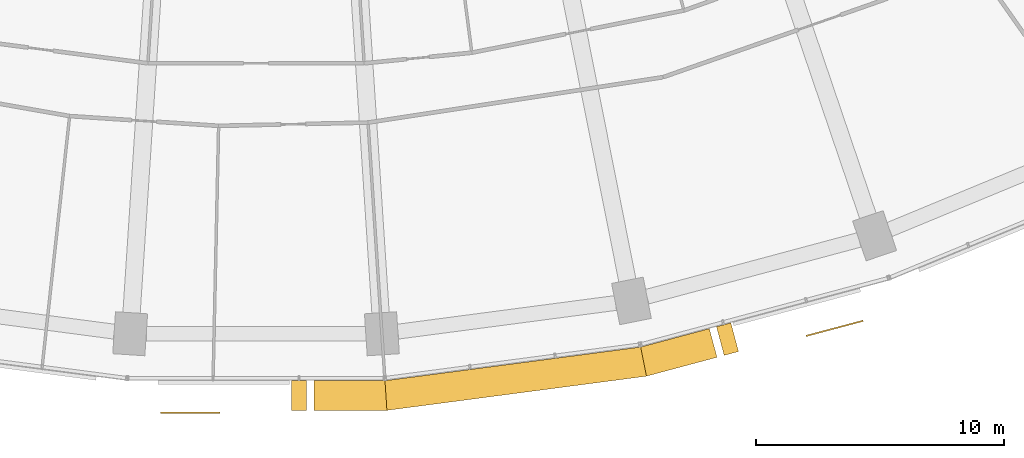
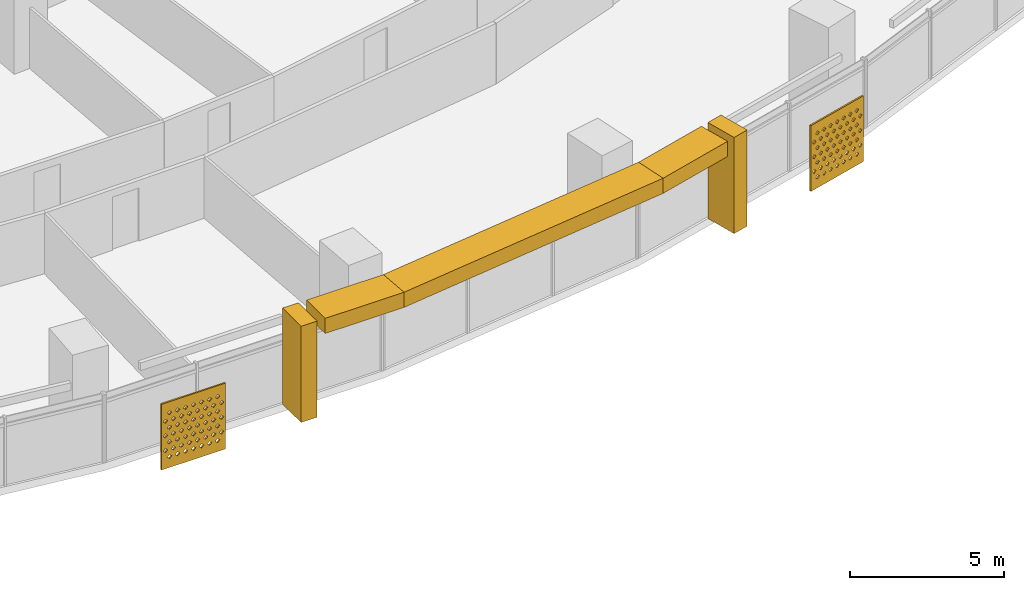
# One storey, part 28 of 31: 7 shading devices.
"""IFC4 building model written with IfcOpenShell, lengths in metres."""

from ifc_helpers import new_model, si_unit, direction, frame, origin, place, context, subcontext, project, spatial, polyline, outline, extrude, material, material_profile, profile_set, type_object, element, save


model = new_model("IFC4")

# Units and contexts
model_context = context("Model", 3, precision=1e-05, world=origin(), true_north=direction((0.0, 1.0)))
body_context = subcontext(model_context, "Body", "Model", "MODEL_VIEW")
ifc_project = project(units=[si_unit("LENGTHUNIT", "METRE"), si_unit("AREAUNIT", "SQUARE_METRE"), si_unit("VOLUMEUNIT", "CUBIC_METRE"), si_unit("PLANEANGLEUNIT", "RADIAN"), si_unit("MASSUNIT", "GRAM", prefix="KILO")], contexts=[model_context])

# Site, building, storey
site_placement = place(None, origin())
site = spatial("IfcSite", under=ifc_project, at=site_placement, CompositionType="ELEMENT")
building_placement = place(site_placement, origin())
building = spatial("IfcBuilding", under=site, at=building_placement, Name="Qamariyya Broadcast Tower", CompositionType="ELEMENT")
storey_placement = place(building_placement, frame((0.0, 0.0, 51.89990234375)))
storey = spatial("IfcBuildingStorey", under=building, at=storey_placement, Name="L09", CompositionType="ELEMENT", Elevation=51.89990234375)

# Shading devices
ifc_material_1 = material(Name="Steel S355 powder coated deep red", Category="steel")
shading_device_type_1 = type_object("IfcShadingDeviceType", Name="Deep red frame, powder coated steel box section", PredefinedType="USERDEFINED", material=ifc_material_1)
shading_device_1_placement = place(storey_placement, origin())
element("IfcShadingDevice", 1, at=shading_device_1_placement, inside=storey, type_object=shading_device_type_1, Name="e-frm-B1-F4-posta-L09", ObjectType="FRAME", PredefinedType="USERDEFINED", context=body_context, shape_type="SweptSolid", body=[
    extrude(outline(polyline([(1.4365234375, -79.4794921875), (1.4365234375, -80.679443359375), (2.036376953125, -80.679443359375), (2.036376953125, -79.4794921875), (1.4365234375, -79.4794921875)])), origin(), (0.0, 0.0, 1.0), 3.800048828125),
])
shading_device_2_placement = place(storey_placement, origin())
element("IfcShadingDevice", 2, at=shading_device_2_placement, inside=storey, type_object=shading_device_type_1, Name="e-frm-B1-F4-postb-L09", ObjectType="FRAME", PredefinedType="USERDEFINED", context=body_context, shape_type="SweptSolid", body=[
    extrude(outline(polyline([(18.603759765625, -77.29833984375), (18.914306640625, -78.45751953125), (19.493896484375, -78.30224609375), (19.183349609375, -77.14306640625), (18.603759765625, -77.29833984375)])), origin(), (0.0, 0.0, 1.0), 3.800048828125),
])
shading_device_3_placement = place(storey_placement, frame((0.0, 0.0, 3.2001953125)))
element("IfcShadingDevice", 3, at=shading_device_3_placement, inside=storey, type_object=shading_device_type_1, Name="e-frm-B1-F4-top0", ObjectType="FRAME", PredefinedType="USERDEFINED", context=body_context, shape_type="SweptSolid", body=[
    extrude(outline(polyline([(2.33642578125, -79.4794921875), (2.33642578125, -80.679443359375), (5.2880859375, -80.679443359375), (5.20947265625, -79.4794921875), (2.33642578125, -79.4794921875)])), origin(), (0.0, 0.0, 1.0), 0.599853515625),
])
shading_device_4_placement = place(storey_placement, frame((0.0, 0.0, 3.2001953125)))
element("IfcShadingDevice", 4, at=shading_device_4_placement, inside=storey, type_object=shading_device_type_1, Name="e-frm-B1-F4-top1", ObjectType="FRAME", PredefinedType="USERDEFINED", context=body_context, shape_type="SweptSolid", body=[
    extrude(outline(polyline([(5.20947265625, -79.4794921875), (5.2880859375, -80.679443359375), (15.7734375, -79.299072265625), (15.5390625, -78.11962890625), (5.20947265625, -79.4794921875)])), origin(), (0.0, 0.0, 1.0), 0.599853515625),
])
shading_device_5_placement = place(storey_placement, frame((0.0, 0.0, 3.2001953125)))
element("IfcShadingDevice", 5, at=shading_device_5_placement, inside=storey, type_object=shading_device_type_1, Name="e-frm-B1-F4-top2", ObjectType="FRAME", PredefinedType="USERDEFINED", context=body_context, shape_type="SweptSolid", body=[
    extrude(outline(polyline([(15.5390625, -78.11962890625), (15.7734375, -79.299072265625), (18.62451171875, -78.53515625), (18.31396484375, -77.3759765625), (15.5390625, -78.11962890625)])), origin(), (0.0, 0.0, 1.0), 0.599853515625),
])
ifc_material_2 = material(Name="Perforated glazed terracotta", Category="masonry")
ifc_material_profile = material_profile(ifc_material_2, outline(polyline([(-1.199951171875, -1.300048828125), (1.199951171875, -1.300048828125), (1.199951171875, 1.300048828125), (-1.199951171875, 1.300048828125), (-1.199951171875, -1.300048828125)]), holes=[polyline([(-0.81494140625, -0.86669921875), (-0.89990234375, -0.78173828125), (-0.985107421875, -0.86669921875), (-0.89990234375, -0.95166015625), (-0.81494140625, -0.86669921875)]), polyline([(-0.514892578125, -0.86669921875), (-0.60009765625, -0.78173828125), (-0.68505859375, -0.86669921875), (-0.60009765625, -0.95166015625), (-0.514892578125, -0.86669921875)]), polyline([(-0.215087890625, -0.86669921875), (-0.300048828125, -0.78173828125), (-0.385009765625, -0.86669921875), (-0.300048828125, -0.95166015625), (-0.215087890625, -0.86669921875)]), polyline([(0.0849609375, -0.86669921875), (0.0, -0.78173828125), (-0.0849609375, -0.86669921875), (0.0, -0.95166015625), (0.0849609375, -0.86669921875)]), polyline([(0.385009765625, -0.86669921875), (0.300048828125, -0.78173828125), (0.215087890625, -0.86669921875), (0.300048828125, -0.95166015625), (0.385009765625, -0.86669921875)]), polyline([(0.68505859375, -0.86669921875), (0.60009765625, -0.78173828125), (0.514892578125, -0.86669921875), (0.60009765625, -0.95166015625), (0.68505859375, -0.86669921875)]), polyline([(0.985107421875, -0.86669921875), (0.89990234375, -0.78173828125), (0.81494140625, -0.86669921875), (0.89990234375, -0.95166015625), (0.985107421875, -0.86669921875)]), polyline([(-0.965087890625, -0.577880859375), (-1.050048828125, -0.49267578125), (-1.135009765625, -0.577880859375), (-1.050048828125, -0.662841796875), (-0.965087890625, -0.577880859375)]), polyline([(-0.6650390625, -0.577880859375), (-0.75, -0.49267578125), (-0.8349609375, -0.577880859375), (-0.75, -0.662841796875), (-0.6650390625, -0.577880859375)]), polyline([(-0.364990234375, -0.577880859375), (-0.449951171875, -0.49267578125), (-0.534912109375, -0.577880859375), (-0.449951171875, -0.662841796875), (-0.364990234375, -0.577880859375)]), polyline([(-0.06494140625, -0.577880859375), (-0.14990234375, -0.49267578125), (-0.235107421875, -0.577880859375), (-0.14990234375, -0.662841796875), (-0.06494140625, -0.577880859375)]), polyline([(0.235107421875, -0.577880859375), (0.14990234375, -0.49267578125), (0.06494140625, -0.577880859375), (0.14990234375, -0.662841796875), (0.235107421875, -0.577880859375)]), polyline([(0.534912109375, -0.577880859375), (0.449951171875, -0.49267578125), (0.364990234375, -0.577880859375), (0.449951171875, -0.662841796875), (0.534912109375, -0.577880859375)]), polyline([(0.8349609375, -0.577880859375), (0.75, -0.49267578125), (0.6650390625, -0.577880859375), (0.75, -0.662841796875), (0.8349609375, -0.577880859375)]), polyline([(1.135009765625, -0.577880859375), (1.050048828125, -0.49267578125), (0.965087890625, -0.577880859375), (1.050048828125, -0.662841796875), (1.135009765625, -0.577880859375)]), polyline([(-0.81494140625, -0.288818359375), (-0.89990234375, -0.203857421875), (-0.985107421875, -0.288818359375), (-0.89990234375, -0.373779296875), (-0.81494140625, -0.288818359375)]), polyline([(-0.514892578125, -0.288818359375), (-0.60009765625, -0.203857421875), (-0.68505859375, -0.288818359375), (-0.60009765625, -0.373779296875), (-0.514892578125, -0.288818359375)]), polyline([(-0.215087890625, -0.288818359375), (-0.300048828125, -0.203857421875), (-0.385009765625, -0.288818359375), (-0.300048828125, -0.373779296875), (-0.215087890625, -0.288818359375)]), polyline([(0.0849609375, -0.288818359375), (0.0, -0.203857421875), (-0.0849609375, -0.288818359375), (0.0, -0.373779296875), (0.0849609375, -0.288818359375)]), polyline([(0.385009765625, -0.288818359375), (0.300048828125, -0.203857421875), (0.215087890625, -0.288818359375), (0.300048828125, -0.373779296875), (0.385009765625, -0.288818359375)]), polyline([(0.68505859375, -0.288818359375), (0.60009765625, -0.203857421875), (0.514892578125, -0.288818359375), (0.60009765625, -0.373779296875), (0.68505859375, -0.288818359375)]), polyline([(0.985107421875, -0.288818359375), (0.89990234375, -0.203857421875), (0.81494140625, -0.288818359375), (0.89990234375, -0.373779296875), (0.985107421875, -0.288818359375)]), polyline([(-0.965087890625, 0.0), (-1.050048828125, 0.0849609375), (-1.135009765625, 0.0), (-1.050048828125, -0.0849609375), (-0.965087890625, 0.0)]), polyline([(-0.6650390625, 0.0), (-0.75, 0.0849609375), (-0.8349609375, 0.0), (-0.75, -0.0849609375), (-0.6650390625, 0.0)]), polyline([(-0.364990234375, 0.0), (-0.449951171875, 0.0849609375), (-0.534912109375, 0.0), (-0.449951171875, -0.0849609375), (-0.364990234375, 0.0)]), polyline([(-0.06494140625, 0.0), (-0.14990234375, 0.0849609375), (-0.235107421875, 0.0), (-0.14990234375, -0.0849609375), (-0.06494140625, 0.0)]), polyline([(0.235107421875, 0.0), (0.14990234375, 0.0849609375), (0.06494140625, 0.0), (0.14990234375, -0.0849609375), (0.235107421875, 0.0)]), polyline([(0.534912109375, 0.0), (0.449951171875, 0.0849609375), (0.364990234375, 0.0), (0.449951171875, -0.0849609375), (0.534912109375, 0.0)]), polyline([(0.8349609375, 0.0), (0.75, 0.0849609375), (0.6650390625, 0.0), (0.75, -0.0849609375), (0.8349609375, 0.0)]), polyline([(1.135009765625, 0.0), (1.050048828125, 0.0849609375), (0.965087890625, 0.0), (1.050048828125, -0.0849609375), (1.135009765625, 0.0)]), polyline([(-0.81494140625, 0.288818359375), (-0.89990234375, 0.373779296875), (-0.985107421875, 0.288818359375), (-0.89990234375, 0.203857421875), (-0.81494140625, 0.288818359375)]), polyline([(-0.514892578125, 0.288818359375), (-0.60009765625, 0.373779296875), (-0.68505859375, 0.288818359375), (-0.60009765625, 0.203857421875), (-0.514892578125, 0.288818359375)]), polyline([(-0.215087890625, 0.288818359375), (-0.300048828125, 0.373779296875), (-0.385009765625, 0.288818359375), (-0.300048828125, 0.203857421875), (-0.215087890625, 0.288818359375)]), polyline([(0.0849609375, 0.288818359375), (0.0, 0.373779296875), (-0.0849609375, 0.288818359375), (0.0, 0.203857421875), (0.0849609375, 0.288818359375)]), polyline([(0.385009765625, 0.288818359375), (0.300048828125, 0.373779296875), (0.215087890625, 0.288818359375), (0.300048828125, 0.203857421875), (0.385009765625, 0.288818359375)]), polyline([(0.68505859375, 0.288818359375), (0.60009765625, 0.373779296875), (0.514892578125, 0.288818359375), (0.60009765625, 0.203857421875), (0.68505859375, 0.288818359375)]), polyline([(0.985107421875, 0.288818359375), (0.89990234375, 0.373779296875), (0.81494140625, 0.288818359375), (0.89990234375, 0.203857421875), (0.985107421875, 0.288818359375)]), polyline([(-0.965087890625, 0.577880859375), (-1.050048828125, 0.662841796875), (-1.135009765625, 0.577880859375), (-1.050048828125, 0.49267578125), (-0.965087890625, 0.577880859375)]), polyline([(-0.6650390625, 0.577880859375), (-0.75, 0.662841796875), (-0.8349609375, 0.577880859375), (-0.75, 0.49267578125), (-0.6650390625, 0.577880859375)]), polyline([(-0.364990234375, 0.577880859375), (-0.449951171875, 0.662841796875), (-0.534912109375, 0.577880859375), (-0.449951171875, 0.49267578125), (-0.364990234375, 0.577880859375)]), polyline([(-0.06494140625, 0.577880859375), (-0.14990234375, 0.662841796875), (-0.235107421875, 0.577880859375), (-0.14990234375, 0.49267578125), (-0.06494140625, 0.577880859375)]), polyline([(0.235107421875, 0.577880859375), (0.14990234375, 0.662841796875), (0.06494140625, 0.577880859375), (0.14990234375, 0.49267578125), (0.235107421875, 0.577880859375)]), polyline([(0.534912109375, 0.577880859375), (0.449951171875, 0.662841796875), (0.364990234375, 0.577880859375), (0.449951171875, 0.49267578125), (0.534912109375, 0.577880859375)]), polyline([(0.8349609375, 0.577880859375), (0.75, 0.662841796875), (0.6650390625, 0.577880859375), (0.75, 0.49267578125), (0.8349609375, 0.577880859375)]), polyline([(1.135009765625, 0.577880859375), (1.050048828125, 0.662841796875), (0.965087890625, 0.577880859375), (1.050048828125, 0.49267578125), (1.135009765625, 0.577880859375)]), polyline([(-0.81494140625, 0.86669921875), (-0.89990234375, 0.95166015625), (-0.985107421875, 0.86669921875), (-0.89990234375, 0.78173828125), (-0.81494140625, 0.86669921875)]), polyline([(-0.514892578125, 0.86669921875), (-0.60009765625, 0.95166015625), (-0.68505859375, 0.86669921875), (-0.60009765625, 0.78173828125), (-0.514892578125, 0.86669921875)]), polyline([(-0.215087890625, 0.86669921875), (-0.300048828125, 0.95166015625), (-0.385009765625, 0.86669921875), (-0.300048828125, 0.78173828125), (-0.215087890625, 0.86669921875)]), polyline([(0.0849609375, 0.86669921875), (0.0, 0.95166015625), (-0.0849609375, 0.86669921875), (0.0, 0.78173828125), (0.0849609375, 0.86669921875)]), polyline([(0.385009765625, 0.86669921875), (0.300048828125, 0.95166015625), (0.215087890625, 0.86669921875), (0.300048828125, 0.78173828125), (0.385009765625, 0.86669921875)]), polyline([(0.68505859375, 0.86669921875), (0.60009765625, 0.95166015625), (0.514892578125, 0.86669921875), (0.60009765625, 0.78173828125), (0.68505859375, 0.86669921875)]), polyline([(0.985107421875, 0.86669921875), (0.89990234375, 0.95166015625), (0.81494140625, 0.86669921875), (0.89990234375, 0.78173828125), (0.985107421875, 0.86669921875)])]))
ifc_profile_set = profile_set([ifc_material_profile], Name="Perforated glazed terracotta")
shading_device_type_2 = type_object("IfcShadingDeviceType", Name="Perforated terracotta screen 2400 x 2600", PredefinedType="USERDEFINED", material=ifc_profile_set)
shading_device_6_placement = place(storey_placement, frame((-2.656982421875, -80.74951171875, 1.35009765625), z_axis=(0.0, -1.0, 0.0), x_axis=(1.0, 0.0, 0.0)))
element("IfcShadingDevice", 6, at=shading_device_6_placement, inside=storey, type_object=shading_device_type_2, Name="e-scr-L09-08-0", ObjectType="SCREEN", PredefinedType="USERDEFINED", context=body_context, shape_type="SweptSolid", body=[
    extrude(outline(polyline([(-1.199951171875, -1.300048828125), (1.199951171875, -1.300048828125), (1.199951171875, 1.300048828125), (-1.199951171875, 1.300048828125), (-1.199951171875, -1.300048828125)]), holes=[polyline([(-0.81494140625, -0.86669921875), (-0.89990234375, -0.78173828125), (-0.985107421875, -0.86669921875), (-0.89990234375, -0.95166015625), (-0.81494140625, -0.86669921875)]), polyline([(-0.514892578125, -0.86669921875), (-0.60009765625, -0.78173828125), (-0.68505859375, -0.86669921875), (-0.60009765625, -0.95166015625), (-0.514892578125, -0.86669921875)]), polyline([(-0.215087890625, -0.86669921875), (-0.300048828125, -0.78173828125), (-0.385009765625, -0.86669921875), (-0.300048828125, -0.95166015625), (-0.215087890625, -0.86669921875)]), polyline([(0.0849609375, -0.86669921875), (0.0, -0.78173828125), (-0.0849609375, -0.86669921875), (0.0, -0.95166015625), (0.0849609375, -0.86669921875)]), polyline([(0.385009765625, -0.86669921875), (0.300048828125, -0.78173828125), (0.215087890625, -0.86669921875), (0.300048828125, -0.95166015625), (0.385009765625, -0.86669921875)]), polyline([(0.68505859375, -0.86669921875), (0.60009765625, -0.78173828125), (0.514892578125, -0.86669921875), (0.60009765625, -0.95166015625), (0.68505859375, -0.86669921875)]), polyline([(0.985107421875, -0.86669921875), (0.89990234375, -0.78173828125), (0.81494140625, -0.86669921875), (0.89990234375, -0.95166015625), (0.985107421875, -0.86669921875)]), polyline([(-0.965087890625, -0.577880859375), (-1.050048828125, -0.49267578125), (-1.135009765625, -0.577880859375), (-1.050048828125, -0.662841796875), (-0.965087890625, -0.577880859375)]), polyline([(-0.6650390625, -0.577880859375), (-0.75, -0.49267578125), (-0.8349609375, -0.577880859375), (-0.75, -0.662841796875), (-0.6650390625, -0.577880859375)]), polyline([(-0.364990234375, -0.577880859375), (-0.449951171875, -0.49267578125), (-0.534912109375, -0.577880859375), (-0.449951171875, -0.662841796875), (-0.364990234375, -0.577880859375)]), polyline([(-0.06494140625, -0.577880859375), (-0.14990234375, -0.49267578125), (-0.235107421875, -0.577880859375), (-0.14990234375, -0.662841796875), (-0.06494140625, -0.577880859375)]), polyline([(0.235107421875, -0.577880859375), (0.14990234375, -0.49267578125), (0.06494140625, -0.577880859375), (0.14990234375, -0.662841796875), (0.235107421875, -0.577880859375)]), polyline([(0.534912109375, -0.577880859375), (0.449951171875, -0.49267578125), (0.364990234375, -0.577880859375), (0.449951171875, -0.662841796875), (0.534912109375, -0.577880859375)]), polyline([(0.8349609375, -0.577880859375), (0.75, -0.49267578125), (0.6650390625, -0.577880859375), (0.75, -0.662841796875), (0.8349609375, -0.577880859375)]), polyline([(1.135009765625, -0.577880859375), (1.050048828125, -0.49267578125), (0.965087890625, -0.577880859375), (1.050048828125, -0.662841796875), (1.135009765625, -0.577880859375)]), polyline([(-0.81494140625, -0.288818359375), (-0.89990234375, -0.203857421875), (-0.985107421875, -0.288818359375), (-0.89990234375, -0.373779296875), (-0.81494140625, -0.288818359375)]), polyline([(-0.514892578125, -0.288818359375), (-0.60009765625, -0.203857421875), (-0.68505859375, -0.288818359375), (-0.60009765625, -0.373779296875), (-0.514892578125, -0.288818359375)]), polyline([(-0.215087890625, -0.288818359375), (-0.300048828125, -0.203857421875), (-0.385009765625, -0.288818359375), (-0.300048828125, -0.373779296875), (-0.215087890625, -0.288818359375)]), polyline([(0.0849609375, -0.288818359375), (0.0, -0.203857421875), (-0.0849609375, -0.288818359375), (0.0, -0.373779296875), (0.0849609375, -0.288818359375)]), polyline([(0.385009765625, -0.288818359375), (0.300048828125, -0.203857421875), (0.215087890625, -0.288818359375), (0.300048828125, -0.373779296875), (0.385009765625, -0.288818359375)]), polyline([(0.68505859375, -0.288818359375), (0.60009765625, -0.203857421875), (0.514892578125, -0.288818359375), (0.60009765625, -0.373779296875), (0.68505859375, -0.288818359375)]), polyline([(0.985107421875, -0.288818359375), (0.89990234375, -0.203857421875), (0.81494140625, -0.288818359375), (0.89990234375, -0.373779296875), (0.985107421875, -0.288818359375)]), polyline([(-0.965087890625, 0.0), (-1.050048828125, 0.0849609375), (-1.135009765625, 0.0), (-1.050048828125, -0.0849609375), (-0.965087890625, 0.0)]), polyline([(-0.6650390625, 0.0), (-0.75, 0.0849609375), (-0.8349609375, 0.0), (-0.75, -0.0849609375), (-0.6650390625, 0.0)]), polyline([(-0.364990234375, 0.0), (-0.449951171875, 0.0849609375), (-0.534912109375, 0.0), (-0.449951171875, -0.0849609375), (-0.364990234375, 0.0)]), polyline([(-0.06494140625, 0.0), (-0.14990234375, 0.0849609375), (-0.235107421875, 0.0), (-0.14990234375, -0.0849609375), (-0.06494140625, 0.0)]), polyline([(0.235107421875, 0.0), (0.14990234375, 0.0849609375), (0.06494140625, 0.0), (0.14990234375, -0.0849609375), (0.235107421875, 0.0)]), polyline([(0.534912109375, 0.0), (0.449951171875, 0.0849609375), (0.364990234375, 0.0), (0.449951171875, -0.0849609375), (0.534912109375, 0.0)]), polyline([(0.8349609375, 0.0), (0.75, 0.0849609375), (0.6650390625, 0.0), (0.75, -0.0849609375), (0.8349609375, 0.0)]), polyline([(1.135009765625, 0.0), (1.050048828125, 0.0849609375), (0.965087890625, 0.0), (1.050048828125, -0.0849609375), (1.135009765625, 0.0)]), polyline([(-0.81494140625, 0.288818359375), (-0.89990234375, 0.373779296875), (-0.985107421875, 0.288818359375), (-0.89990234375, 0.203857421875), (-0.81494140625, 0.288818359375)]), polyline([(-0.514892578125, 0.288818359375), (-0.60009765625, 0.373779296875), (-0.68505859375, 0.288818359375), (-0.60009765625, 0.203857421875), (-0.514892578125, 0.288818359375)]), polyline([(-0.215087890625, 0.288818359375), (-0.300048828125, 0.373779296875), (-0.385009765625, 0.288818359375), (-0.300048828125, 0.203857421875), (-0.215087890625, 0.288818359375)]), polyline([(0.0849609375, 0.288818359375), (0.0, 0.373779296875), (-0.0849609375, 0.288818359375), (0.0, 0.203857421875), (0.0849609375, 0.288818359375)]), polyline([(0.385009765625, 0.288818359375), (0.300048828125, 0.373779296875), (0.215087890625, 0.288818359375), (0.300048828125, 0.203857421875), (0.385009765625, 0.288818359375)]), polyline([(0.68505859375, 0.288818359375), (0.60009765625, 0.373779296875), (0.514892578125, 0.288818359375), (0.60009765625, 0.203857421875), (0.68505859375, 0.288818359375)]), polyline([(0.985107421875, 0.288818359375), (0.89990234375, 0.373779296875), (0.81494140625, 0.288818359375), (0.89990234375, 0.203857421875), (0.985107421875, 0.288818359375)]), polyline([(-0.965087890625, 0.577880859375), (-1.050048828125, 0.662841796875), (-1.135009765625, 0.577880859375), (-1.050048828125, 0.49267578125), (-0.965087890625, 0.577880859375)]), polyline([(-0.6650390625, 0.577880859375), (-0.75, 0.662841796875), (-0.8349609375, 0.577880859375), (-0.75, 0.49267578125), (-0.6650390625, 0.577880859375)]), polyline([(-0.364990234375, 0.577880859375), (-0.449951171875, 0.662841796875), (-0.534912109375, 0.577880859375), (-0.449951171875, 0.49267578125), (-0.364990234375, 0.577880859375)]), polyline([(-0.06494140625, 0.577880859375), (-0.14990234375, 0.662841796875), (-0.235107421875, 0.577880859375), (-0.14990234375, 0.49267578125), (-0.06494140625, 0.577880859375)]), polyline([(0.235107421875, 0.577880859375), (0.14990234375, 0.662841796875), (0.06494140625, 0.577880859375), (0.14990234375, 0.49267578125), (0.235107421875, 0.577880859375)]), polyline([(0.534912109375, 0.577880859375), (0.449951171875, 0.662841796875), (0.364990234375, 0.577880859375), (0.449951171875, 0.49267578125), (0.534912109375, 0.577880859375)]), polyline([(0.8349609375, 0.577880859375), (0.75, 0.662841796875), (0.6650390625, 0.577880859375), (0.75, 0.49267578125), (0.8349609375, 0.577880859375)]), polyline([(1.135009765625, 0.577880859375), (1.050048828125, 0.662841796875), (0.965087890625, 0.577880859375), (1.050048828125, 0.49267578125), (1.135009765625, 0.577880859375)]), polyline([(-0.81494140625, 0.86669921875), (-0.89990234375, 0.95166015625), (-0.985107421875, 0.86669921875), (-0.89990234375, 0.78173828125), (-0.81494140625, 0.86669921875)]), polyline([(-0.514892578125, 0.86669921875), (-0.60009765625, 0.95166015625), (-0.68505859375, 0.86669921875), (-0.60009765625, 0.78173828125), (-0.514892578125, 0.86669921875)]), polyline([(-0.215087890625, 0.86669921875), (-0.300048828125, 0.95166015625), (-0.385009765625, 0.86669921875), (-0.300048828125, 0.78173828125), (-0.215087890625, 0.86669921875)]), polyline([(0.0849609375, 0.86669921875), (0.0, 0.95166015625), (-0.0849609375, 0.86669921875), (0.0, 0.78173828125), (0.0849609375, 0.86669921875)]), polyline([(0.385009765625, 0.86669921875), (0.300048828125, 0.95166015625), (0.215087890625, 0.86669921875), (0.300048828125, 0.78173828125), (0.385009765625, 0.86669921875)]), polyline([(0.68505859375, 0.86669921875), (0.60009765625, 0.95166015625), (0.514892578125, 0.86669921875), (0.60009765625, 0.78173828125), (0.68505859375, 0.86669921875)]), polyline([(0.985107421875, 0.86669921875), (0.89990234375, 0.95166015625), (0.81494140625, 0.86669921875), (0.89990234375, 0.78173828125), (0.985107421875, 0.86669921875)])]), origin(), (0.0, 0.0, 1.0), 0.06005859375),
])
shading_device_7_placement = place(storey_placement, frame((23.364990234375, -77.33740234375, 1.35009765625), z_axis=(0.256901156343, -0.966437683387, 0.0), x_axis=(0.966437683387, 0.256901156343, 0.0)))
element("IfcShadingDevice", 7, at=shading_device_7_placement, inside=storey, type_object=shading_device_type_2, Name="e-scr-L09-10-2", ObjectType="SCREEN", PredefinedType="USERDEFINED", context=body_context, shape_type="SweptSolid", body=[
    extrude(outline(polyline([(-1.199951171875, -1.300048828125), (1.199951171875, -1.300048828125), (1.199951171875, 1.300048828125), (-1.199951171875, 1.300048828125), (-1.199951171875, -1.300048828125)]), holes=[polyline([(-0.81494140625, -0.86669921875), (-0.89990234375, -0.78173828125), (-0.985107421875, -0.86669921875), (-0.89990234375, -0.95166015625), (-0.81494140625, -0.86669921875)]), polyline([(-0.514892578125, -0.86669921875), (-0.60009765625, -0.78173828125), (-0.68505859375, -0.86669921875), (-0.60009765625, -0.95166015625), (-0.514892578125, -0.86669921875)]), polyline([(-0.215087890625, -0.86669921875), (-0.300048828125, -0.78173828125), (-0.385009765625, -0.86669921875), (-0.300048828125, -0.95166015625), (-0.215087890625, -0.86669921875)]), polyline([(0.0849609375, -0.86669921875), (0.0, -0.78173828125), (-0.0849609375, -0.86669921875), (0.0, -0.95166015625), (0.0849609375, -0.86669921875)]), polyline([(0.385009765625, -0.86669921875), (0.300048828125, -0.78173828125), (0.215087890625, -0.86669921875), (0.300048828125, -0.95166015625), (0.385009765625, -0.86669921875)]), polyline([(0.68505859375, -0.86669921875), (0.60009765625, -0.78173828125), (0.514892578125, -0.86669921875), (0.60009765625, -0.95166015625), (0.68505859375, -0.86669921875)]), polyline([(0.985107421875, -0.86669921875), (0.89990234375, -0.78173828125), (0.81494140625, -0.86669921875), (0.89990234375, -0.95166015625), (0.985107421875, -0.86669921875)]), polyline([(-0.965087890625, -0.577880859375), (-1.050048828125, -0.49267578125), (-1.135009765625, -0.577880859375), (-1.050048828125, -0.662841796875), (-0.965087890625, -0.577880859375)]), polyline([(-0.6650390625, -0.577880859375), (-0.75, -0.49267578125), (-0.8349609375, -0.577880859375), (-0.75, -0.662841796875), (-0.6650390625, -0.577880859375)]), polyline([(-0.364990234375, -0.577880859375), (-0.449951171875, -0.49267578125), (-0.534912109375, -0.577880859375), (-0.449951171875, -0.662841796875), (-0.364990234375, -0.577880859375)]), polyline([(-0.06494140625, -0.577880859375), (-0.14990234375, -0.49267578125), (-0.235107421875, -0.577880859375), (-0.14990234375, -0.662841796875), (-0.06494140625, -0.577880859375)]), polyline([(0.235107421875, -0.577880859375), (0.14990234375, -0.49267578125), (0.06494140625, -0.577880859375), (0.14990234375, -0.662841796875), (0.235107421875, -0.577880859375)]), polyline([(0.534912109375, -0.577880859375), (0.449951171875, -0.49267578125), (0.364990234375, -0.577880859375), (0.449951171875, -0.662841796875), (0.534912109375, -0.577880859375)]), polyline([(0.8349609375, -0.577880859375), (0.75, -0.49267578125), (0.6650390625, -0.577880859375), (0.75, -0.662841796875), (0.8349609375, -0.577880859375)]), polyline([(1.135009765625, -0.577880859375), (1.050048828125, -0.49267578125), (0.965087890625, -0.577880859375), (1.050048828125, -0.662841796875), (1.135009765625, -0.577880859375)]), polyline([(-0.81494140625, -0.288818359375), (-0.89990234375, -0.203857421875), (-0.985107421875, -0.288818359375), (-0.89990234375, -0.373779296875), (-0.81494140625, -0.288818359375)]), polyline([(-0.514892578125, -0.288818359375), (-0.60009765625, -0.203857421875), (-0.68505859375, -0.288818359375), (-0.60009765625, -0.373779296875), (-0.514892578125, -0.288818359375)]), polyline([(-0.215087890625, -0.288818359375), (-0.300048828125, -0.203857421875), (-0.385009765625, -0.288818359375), (-0.300048828125, -0.373779296875), (-0.215087890625, -0.288818359375)]), polyline([(0.0849609375, -0.288818359375), (0.0, -0.203857421875), (-0.0849609375, -0.288818359375), (0.0, -0.373779296875), (0.0849609375, -0.288818359375)]), polyline([(0.385009765625, -0.288818359375), (0.300048828125, -0.203857421875), (0.215087890625, -0.288818359375), (0.300048828125, -0.373779296875), (0.385009765625, -0.288818359375)]), polyline([(0.68505859375, -0.288818359375), (0.60009765625, -0.203857421875), (0.514892578125, -0.288818359375), (0.60009765625, -0.373779296875), (0.68505859375, -0.288818359375)]), polyline([(0.985107421875, -0.288818359375), (0.89990234375, -0.203857421875), (0.81494140625, -0.288818359375), (0.89990234375, -0.373779296875), (0.985107421875, -0.288818359375)]), polyline([(-0.965087890625, 0.0), (-1.050048828125, 0.0849609375), (-1.135009765625, 0.0), (-1.050048828125, -0.0849609375), (-0.965087890625, 0.0)]), polyline([(-0.6650390625, 0.0), (-0.75, 0.0849609375), (-0.8349609375, 0.0), (-0.75, -0.0849609375), (-0.6650390625, 0.0)]), polyline([(-0.364990234375, 0.0), (-0.449951171875, 0.0849609375), (-0.534912109375, 0.0), (-0.449951171875, -0.0849609375), (-0.364990234375, 0.0)]), polyline([(-0.06494140625, 0.0), (-0.14990234375, 0.0849609375), (-0.235107421875, 0.0), (-0.14990234375, -0.0849609375), (-0.06494140625, 0.0)]), polyline([(0.235107421875, 0.0), (0.14990234375, 0.0849609375), (0.06494140625, 0.0), (0.14990234375, -0.0849609375), (0.235107421875, 0.0)]), polyline([(0.534912109375, 0.0), (0.449951171875, 0.0849609375), (0.364990234375, 0.0), (0.449951171875, -0.0849609375), (0.534912109375, 0.0)]), polyline([(0.8349609375, 0.0), (0.75, 0.0849609375), (0.6650390625, 0.0), (0.75, -0.0849609375), (0.8349609375, 0.0)]), polyline([(1.135009765625, 0.0), (1.050048828125, 0.0849609375), (0.965087890625, 0.0), (1.050048828125, -0.0849609375), (1.135009765625, 0.0)]), polyline([(-0.81494140625, 0.288818359375), (-0.89990234375, 0.373779296875), (-0.985107421875, 0.288818359375), (-0.89990234375, 0.203857421875), (-0.81494140625, 0.288818359375)]), polyline([(-0.514892578125, 0.288818359375), (-0.60009765625, 0.373779296875), (-0.68505859375, 0.288818359375), (-0.60009765625, 0.203857421875), (-0.514892578125, 0.288818359375)]), polyline([(-0.215087890625, 0.288818359375), (-0.300048828125, 0.373779296875), (-0.385009765625, 0.288818359375), (-0.300048828125, 0.203857421875), (-0.215087890625, 0.288818359375)]), polyline([(0.0849609375, 0.288818359375), (0.0, 0.373779296875), (-0.0849609375, 0.288818359375), (0.0, 0.203857421875), (0.0849609375, 0.288818359375)]), polyline([(0.385009765625, 0.288818359375), (0.300048828125, 0.373779296875), (0.215087890625, 0.288818359375), (0.300048828125, 0.203857421875), (0.385009765625, 0.288818359375)]), polyline([(0.68505859375, 0.288818359375), (0.60009765625, 0.373779296875), (0.514892578125, 0.288818359375), (0.60009765625, 0.203857421875), (0.68505859375, 0.288818359375)]), polyline([(0.985107421875, 0.288818359375), (0.89990234375, 0.373779296875), (0.81494140625, 0.288818359375), (0.89990234375, 0.203857421875), (0.985107421875, 0.288818359375)]), polyline([(-0.965087890625, 0.577880859375), (-1.050048828125, 0.662841796875), (-1.135009765625, 0.577880859375), (-1.050048828125, 0.49267578125), (-0.965087890625, 0.577880859375)]), polyline([(-0.6650390625, 0.577880859375), (-0.75, 0.662841796875), (-0.8349609375, 0.577880859375), (-0.75, 0.49267578125), (-0.6650390625, 0.577880859375)]), polyline([(-0.364990234375, 0.577880859375), (-0.449951171875, 0.662841796875), (-0.534912109375, 0.577880859375), (-0.449951171875, 0.49267578125), (-0.364990234375, 0.577880859375)]), polyline([(-0.06494140625, 0.577880859375), (-0.14990234375, 0.662841796875), (-0.235107421875, 0.577880859375), (-0.14990234375, 0.49267578125), (-0.06494140625, 0.577880859375)]), polyline([(0.235107421875, 0.577880859375), (0.14990234375, 0.662841796875), (0.06494140625, 0.577880859375), (0.14990234375, 0.49267578125), (0.235107421875, 0.577880859375)]), polyline([(0.534912109375, 0.577880859375), (0.449951171875, 0.662841796875), (0.364990234375, 0.577880859375), (0.449951171875, 0.49267578125), (0.534912109375, 0.577880859375)]), polyline([(0.8349609375, 0.577880859375), (0.75, 0.662841796875), (0.6650390625, 0.577880859375), (0.75, 0.49267578125), (0.8349609375, 0.577880859375)]), polyline([(1.135009765625, 0.577880859375), (1.050048828125, 0.662841796875), (0.965087890625, 0.577880859375), (1.050048828125, 0.49267578125), (1.135009765625, 0.577880859375)]), polyline([(-0.81494140625, 0.86669921875), (-0.89990234375, 0.95166015625), (-0.985107421875, 0.86669921875), (-0.89990234375, 0.78173828125), (-0.81494140625, 0.86669921875)]), polyline([(-0.514892578125, 0.86669921875), (-0.60009765625, 0.95166015625), (-0.68505859375, 0.86669921875), (-0.60009765625, 0.78173828125), (-0.514892578125, 0.86669921875)]), polyline([(-0.215087890625, 0.86669921875), (-0.300048828125, 0.95166015625), (-0.385009765625, 0.86669921875), (-0.300048828125, 0.78173828125), (-0.215087890625, 0.86669921875)]), polyline([(0.0849609375, 0.86669921875), (0.0, 0.95166015625), (-0.0849609375, 0.86669921875), (0.0, 0.78173828125), (0.0849609375, 0.86669921875)]), polyline([(0.385009765625, 0.86669921875), (0.300048828125, 0.95166015625), (0.215087890625, 0.86669921875), (0.300048828125, 0.78173828125), (0.385009765625, 0.86669921875)]), polyline([(0.68505859375, 0.86669921875), (0.60009765625, 0.95166015625), (0.514892578125, 0.86669921875), (0.60009765625, 0.78173828125), (0.68505859375, 0.86669921875)]), polyline([(0.985107421875, 0.86669921875), (0.89990234375, 0.95166015625), (0.81494140625, 0.86669921875), (0.89990234375, 0.78173828125), (0.985107421875, 0.86669921875)])]), origin(), (0.0, 0.0, 1.0), 0.059814453125),
])

save(model, "model.ifc")
